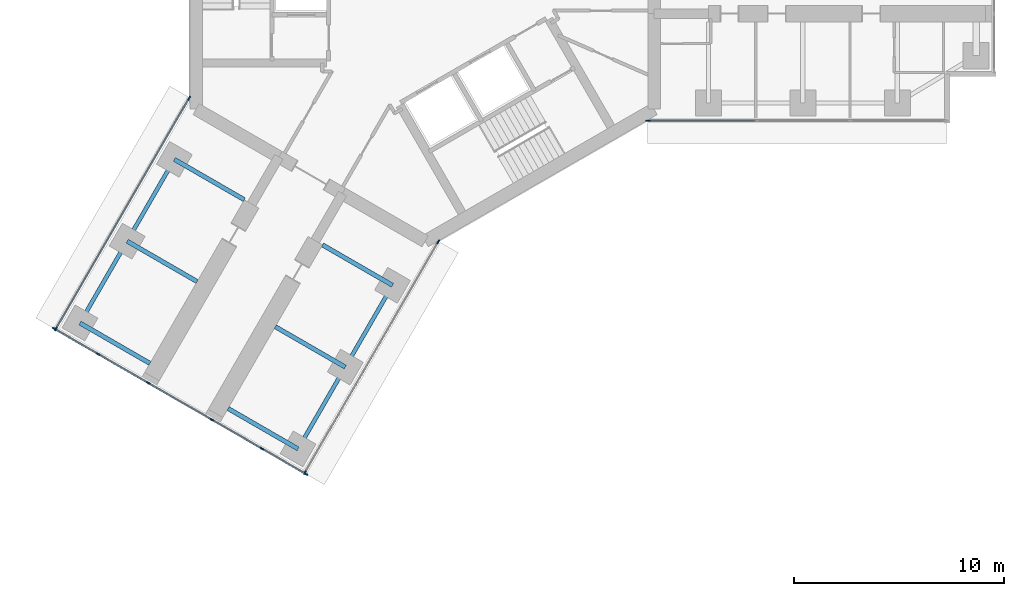
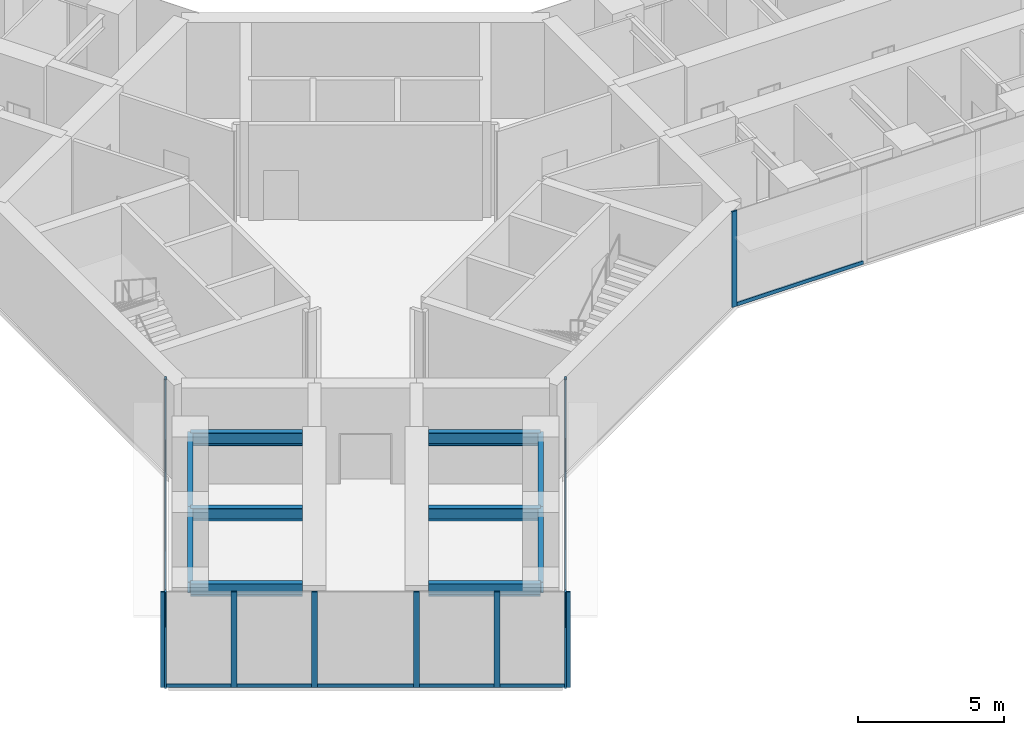
# One storey, part 2 of 23: 19 members, 10 beams, 4 elements without a shape of their own.
"""IFC4 building model written with IfcOpenShell, lengths in metres."""

import ifcopenshell
import ifcopenshell.guid

model = None  # the IFC model being written
_history = None  # IfcOwnerHistory: only IFC2X3 demands one
_inside = {}  # id of a spatial element -> (the spatial element, [elements in it])
_under = {}  # id of a project, library or spatial element -> (it, [spatial elements below it])
_declared = {}  # id of a project -> (the project, [libraries it declares])
_typed = {}  # id of a type object -> (the type object, [elements of that type])
_made_of = {}  # id of a material, layer set ... -> (it, [elements and type objects made of it])


def new_model(schema):
    """Start an empty IFC model of exactly this schema.

    Asked for "IFC4X3", IfcOpenShell would pick the latest addendum, in which some entities
    have other attributes; the version numbers below select the first issue.
    IFC2X3 requires an IfcOwnerHistory on every rooted entity: one is made here for all.
    """
    global model, _history
    if schema == "IFC4X3":
        model = ifcopenshell.file(schema_version=(4, 3, 0, 0))
    else:
        model = ifcopenshell.file(schema=schema)
    _inside.clear()
    _under.clear()
    _declared.clear()
    _typed.clear()
    _made_of.clear()
    _history = None
    if model.schema == "IFC2X3":
        org = make("IfcOrganization", Name="unknown")
        user = make(
            "IfcPersonAndOrganization",
            ThePerson=make("IfcPerson", FamilyName="unknown"),
            TheOrganization=org,
        )
        app = make(
            "IfcApplication",
            ApplicationDeveloper=org,
            Version="unknown",
            ApplicationFullName="unknown",
            ApplicationIdentifier="unknown",
        )
        _history = make(
            "IfcOwnerHistory",
            OwningUser=user,
            OwningApplication=app,
            ChangeAction="ADDED",
            CreationDate=0,
        )
    return model


def make(cls, **values):
    """One entity of the class cls with the attributes given. An attribute that is None is left unset."""
    return model.create_entity(
        cls, **{name: value for name, value in values.items() if value is not None}
    )


def rooted(cls, **values):
    """An entity with a GlobalId (a new one), such as an element, a storey or a relation."""
    return make(cls, GlobalId=ifcopenshell.guid.new(), OwnerHistory=_history, **values)


def si_unit(unit_type, name, prefix=None):
    """IfcSIUnit, for example si_unit("LENGTHUNIT", "METRE", prefix="MILLI")."""
    return make("IfcSIUnit", UnitType=unit_type, Prefix=prefix, Name=name)


def assignment(units):
    """IfcUnitAssignment: the units of a project."""
    return None if units is None else make("IfcUnitAssignment", Units=units)


def point(xyz):
    """IfcCartesianPoint."""
    return None if xyz is None else make("IfcCartesianPoint", Coordinates=xyz)


def direction(xyz):
    """IfcDirection."""
    return None if xyz is None else make("IfcDirection", DirectionRatios=xyz)


def frame(location, z_axis=None, x_axis=None):
    """IfcAxis2Placement3D, a coordinate frame: its origin and axes. An axis left out is left unset."""
    return make(
        "IfcAxis2Placement3D",
        Location=point(location),
        Axis=direction(z_axis),
        RefDirection=direction(x_axis),
    )


def frame_2d(location, x_axis=None):
    """IfcAxis2Placement2D, a coordinate frame in the plane: its origin and x axis."""
    return make(
        "IfcAxis2Placement2D", Location=point(location), RefDirection=direction(x_axis)
    )


def origin():
    """The frame at (0, 0, 0) with its axes left unset."""
    return frame((0.0, 0.0, 0.0))


def origin_2d():
    """The frame at (0, 0) in the plane with its x axis left unset."""
    return frame_2d((0.0, 0.0))


def place(relative_to, where):
    """IfcLocalPlacement: puts the frame where relative to a parent placement (None: the world)."""
    return make(
        "IfcLocalPlacement", PlacementRelTo=relative_to, RelativePlacement=where
    )


def context(
    kind, dimensions, precision=None, world=None, true_north=None, identifier=None
):
    """IfcGeometricRepresentationContext, for example the 3D "Model" context."""
    return make(
        "IfcGeometricRepresentationContext",
        ContextIdentifier=identifier,
        ContextType=kind,
        CoordinateSpaceDimension=dimensions,
        Precision=precision,
        WorldCoordinateSystem=world,
        TrueNorth=true_north,
    )


def subcontext(parent, identifier, kind, view, scale=None):
    """IfcGeometricRepresentationSubContext, for example "Body" below "Model"."""
    return make(
        "IfcGeometricRepresentationSubContext",
        ContextIdentifier=identifier,
        ContextType=kind,
        ParentContext=parent,
        TargetScale=scale,
        TargetView=view,
    )


def project(units=None, contexts=None):
    """IfcProject with its units and contexts."""
    return rooted(
        "IfcProject",
        Name="project",
        RepresentationContexts=contexts,
        UnitsInContext=assignment(units),
    )


def spatial(cls, under=None, at=None, **own):
    """A site, building, storey or space (cls), placed at a placement, below another one or the project."""
    s = rooted(cls, ObjectPlacement=at, **own)
    if under is not None:
        _under.setdefault(under.id(), (under, []))[1].append(s)
    return s


def profile(cls, at=None, kind="AREA", **sizes):
    """A parametric profile (cls). Its sizes go by their IFC names, for example OverallWidth=200.0."""
    return make(cls, ProfileType=kind, Position=at, **sizes)


def rectangle(**sizes):
    """IfcRectangleProfileDef."""
    return profile("IfcRectangleProfileDef", **sizes)


def i_section(**sizes):
    """IfcIShapeProfileDef."""
    return profile("IfcIShapeProfileDef", **sizes)


def extrude(swept, where, along, depth):
    """IfcExtrudedAreaSolid: the profile swept, set in the frame where, extruded along a direction by depth."""
    return make(
        "IfcExtrudedAreaSolid",
        SweptArea=swept,
        Position=where,
        ExtrudedDirection=direction(along),
        Depth=depth,
    )


def shape(context_of_items, identifier, shape_type, items):
    """IfcShapeRepresentation: the items that make up one representation, for example the "Body"."""
    return make(
        "IfcShapeRepresentation",
        ContextOfItems=context_of_items,
        RepresentationIdentifier=identifier,
        RepresentationType=shape_type,
        Items=items,
    )


def material(Name=None, Category=None):
    """IfcMaterial."""
    return make("IfcMaterial", Name=Name, Category=Category)


def material_profile(
    of_material, cross_section, Name=None, Category=None, Priority=None
):
    """IfcMaterialProfile: a cross section and its material."""
    return make(
        "IfcMaterialProfile",
        Name=Name,
        Material=of_material,
        Profile=cross_section,
        Priority=Priority,
        Category=Category,
    )


def profile_set(profiles, Name=None, composite=None):
    """IfcMaterialProfileSet."""
    return make(
        "IfcMaterialProfileSet",
        Name=Name,
        MaterialProfiles=profiles,
        CompositeProfile=composite,
    )


def made_of(thing, what):
    """Note that an element or type object is made of a material, layer set ...; save() writes the relation."""
    if what is not None:
        _made_of.setdefault(what.id(), (what, []))[1].append(thing)
    return thing


def type_object(cls, material=None, **own):
    """A type object (cls), such as IfcWallType, which elements share."""
    return made_of(rooted(cls, **own), material)


def element(
    cls,
    number,
    at=None,
    inside=None,
    cuts=None,
    type_object=None,
    material=None,
    context=None,
    identifier="Body",
    shape_type=None,
    held_by="IfcProductDefinitionShape",
    body=None,
    shapes=None,
    **own,
):
    """One element of the class cls, such as IfcWall. Its Tag is "e" and its number.

    at: its placement. inside: the storey or other place that contains it. cuts: it is an
    opening in that element (IfcRelVoidsElement). A single representation is given by context,
    identifier, shape_type and body (its items); several are given by shapes. held_by: the class
    of the entity that holds the representations. save() writes the other relations.
    """
    e = rooted(cls, Tag="e%d" % number, ObjectPlacement=at, **own)
    if body is not None:
        shapes = [shape(context, identifier, shape_type, body)]
    if shapes is not None:
        e.Representation = make(held_by, Representations=shapes)
    if inside is not None:
        _inside.setdefault(inside.id(), (inside, []))[1].append(e)
    if cuts is not None:
        rooted(
            "IfcRelVoidsElement", RelatingBuildingElement=cuts, RelatedOpeningElement=e
        )
    if type_object is not None:
        _typed.setdefault(type_object.id(), (type_object, []))[1].append(e)
    return made_of(e, material)


def aggregate(whole, parts):
    """IfcRelAggregates: a whole, such as a stair, and the parts it consists of."""
    return rooted("IfcRelAggregates", RelatingObject=whole, RelatedObjects=parts)


def save(model, path):
    """Write the relations noted so far, then the file.

    IfcRelAggregates (storeys below a building ...), IfcRelContainedInSpatialStructure (elements
    in a storey), IfcRelDefinesByType, IfcRelAssociatesMaterial and IfcRelDeclares: one each for
    every whole, place, type object, material and project.
    """
    for whole, parts in _under.values():
        aggregate(whole, parts)
    for where, things in _inside.values():
        rooted(
            "IfcRelContainedInSpatialStructure",
            RelatedElements=things,
            RelatingStructure=where,
        )
    for kind, things in _typed.values():
        rooted("IfcRelDefinesByType", RelatedObjects=things, RelatingType=kind)
    for what, things in _made_of.values():
        rooted("IfcRelAssociatesMaterial", RelatedObjects=things, RelatingMaterial=what)
    for by, libraries in _declared.values():
        rooted("IfcRelDeclares", RelatingContext=by, RelatedDefinitions=libraries)
    model.write(path)


model = new_model("IFC4")

# Units and contexts
model_context = context("Model", 3, precision=1e-05, world=origin(), true_north=direction((0.0, 1.0)))
body_context = subcontext(model_context, "Body", "Model", "MODEL_VIEW")
ifc_project = project(units=[si_unit("LENGTHUNIT", "METRE"), si_unit("AREAUNIT", "SQUARE_METRE"), si_unit("VOLUMEUNIT", "CUBIC_METRE"), si_unit("PLANEANGLEUNIT", "RADIAN"), si_unit("MASSUNIT", "GRAM", prefix="KILO")], contexts=[model_context])

# Site, building, storey
site_placement = place(None, origin())
site = spatial("IfcSite", under=ifc_project, at=site_placement, CompositionType="ELEMENT")
building_placement = place(site_placement, origin())
building = spatial("IfcBuilding", under=site, at=building_placement, Name="Upepo Twin Towers", CompositionType="ELEMENT")
storey_placement = place(building_placement, frame((0.0, 0.0, 153.5)))
storey = spatial("IfcBuildingStorey", under=building, at=storey_placement, Name="L37", CompositionType="ELEMENT", Elevation=153.5)

# Beams
ifc_material_1 = material(Name="Steel S355", Category="steel")
ifc_material_profile_1 = material_profile(ifc_material_1, i_section(OverallWidth=0.1904296875, OverallDepth=0.45703125, WebThickness=0.009033203125, FlangeThickness=0.014404296875, FilletRadius=0.01025390625, at=origin_2d()), Name="UB 457x191x74")
ifc_profile_set_1 = profile_set([ifc_material_profile_1], Name="Steel S355")
beam_type_1 = type_object("IfcBeamType", Name="Beam UB 457x191x74", PredefinedType="BEAM", material=ifc_profile_set_1)
beam_1_placement = place(storey_placement, frame((-1.553955078125, -14.69140625, 3.571533203125), z_axis=(-0.500013631625, -0.866017533419, 0.0), x_axis=(0.866017533419, -0.500013631625, 0.0)))
element("IfcBeam", 1, at=beam_1_placement, inside=storey, type_object=beam_type_1, Name="T1 edge beam CL 13.5-18.0", PredefinedType="BEAM", context=body_context, shape_type="SweptSolid", body=[
    extrude(i_section(OverallWidth=0.1904296875, OverallDepth=0.45703125, WebThickness=0.009033203125, FlangeThickness=0.014404296875, FilletRadius=0.01025390625, at=origin_2d()), origin(), (0.0, 0.0, 1.0), 4.499755859375),
])
beam_2_placement = place(storey_placement, frame((-3.803955078125, -18.58837890625, 3.571533203125), z_axis=(-0.499990139034, -0.866031096941, 0.0), x_axis=(0.866031096941, -0.499990139034, 0.0)))
element("IfcBeam", 2, at=beam_2_placement, inside=storey, type_object=beam_type_1, Name="T1 edge beam CL 18.0-22.5", PredefinedType="BEAM", context=body_context, shape_type="SweptSolid", body=[
    extrude(i_section(OverallWidth=0.1904296875, OverallDepth=0.45703125, WebThickness=0.009033203125, FlangeThickness=0.014404296875, FilletRadius=0.01025390625, at=origin_2d()), origin(), (0.0, 0.0, 1.0), 4.5),
])
beam_3_placement = place(storey_placement, frame((-11.946044921875, -8.69140625, 3.571533203125), z_axis=(-0.500013631625, -0.866017533419, 0.0), x_axis=(0.866017533419, -0.500013631625, 0.0)))
element("IfcBeam", 3, at=beam_3_placement, inside=storey, type_object=beam_type_1, Name="T1 edge beam CR 13.5-18.0", PredefinedType="BEAM", context=body_context, shape_type="SweptSolid", body=[
    extrude(i_section(OverallWidth=0.1904296875, OverallDepth=0.45703125, WebThickness=0.009033203125, FlangeThickness=0.014404296875, FilletRadius=0.01025390625, at=origin_2d()), origin(), (0.0, 0.0, 1.0), 4.499755859375),
])
beam_4_placement = place(storey_placement, frame((-14.196044921875, -12.58837890625, 3.571533203125), z_axis=(-0.499990139034, -0.866031096941, 0.0), x_axis=(0.866031096941, -0.499990139034, 0.0)))
element("IfcBeam", 4, at=beam_4_placement, inside=storey, type_object=beam_type_1, Name="T1 edge beam CR 18.0-22.5", PredefinedType="BEAM", context=body_context, shape_type="SweptSolid", body=[
    extrude(i_section(OverallWidth=0.1904296875, OverallDepth=0.45703125, WebThickness=0.009033203125, FlangeThickness=0.014404296875, FilletRadius=0.01025390625, at=origin_2d()), origin(), (0.0, 0.0, 1.0), 4.5),
])
ifc_material_2 = material(Name="Steel S355", Category="steel")
ifc_material_profile_2 = material_profile(ifc_material_2, i_section(OverallWidth=0.209228515625, OverallDepth=0.533203125, WebThickness=0.010009765625, FlangeThickness=0.015625, FilletRadius=0.0126953125, at=origin_2d()), Name="UB 533x210x92")
ifc_profile_set_2 = profile_set([ifc_material_profile_2], Name="Steel S355")
beam_type_2 = type_object("IfcBeamType", Name="Beam UB 533x210x92", PredefinedType="BEAM", material=ifc_profile_set_2)
beam_5_placement = place(storey_placement, frame((-1.553955078125, -14.69140625, 3.533447265625), z_axis=(-0.866006051527, 0.500033517596, 0.0), x_axis=(-0.500033517596, -0.866006051527, 0.0)))
element("IfcBeam", 5, at=beam_5_placement, inside=storey, type_object=beam_type_2, Name="T1 girder CL at 13.5", PredefinedType="BEAM", context=body_context, shape_type="SweptSolid", body=[
    extrude(i_section(OverallWidth=0.209228515625, OverallDepth=0.533203125, WebThickness=0.010009765625, FlangeThickness=0.015625, FilletRadius=0.0126953125, at=origin_2d()), origin(), (0.0, 0.0, 1.0), 3.849853515625),
])
beam_6_placement = place(storey_placement, frame((-3.803955078125, -18.58837890625, 3.533447265625), z_axis=(-0.866033512162, 0.499985955615, 0.0), x_axis=(-0.499985955615, -0.866033512162, 0.0)))
element("IfcBeam", 6, at=beam_6_placement, inside=storey, type_object=beam_type_2, Name="T1 girder CL at 18.0", PredefinedType="BEAM", context=body_context, shape_type="SweptSolid", body=[
    extrude(i_section(OverallWidth=0.209228515625, OverallDepth=0.533203125, WebThickness=0.010009765625, FlangeThickness=0.015625, FilletRadius=0.0126953125, at=origin_2d()), origin(), (0.0, 0.0, 1.0), 3.849609375),
])
for number, where, z_axis, x_axis, name in (
    (7, (-6.053955078125, -22.485595703125, 3.533447265625), (-0.866006051527, 0.500033517596, 0.0), (-0.500033517596, -0.866006051527, 0.0), "T1 girder CL at 22.5"),
    (8, (-11.946044921875, -8.69140625, 3.533447265625), (0.866006051527, -0.500033517596, 0.0), (0.500033517596, 0.866006051527, 0.0), "T1 girder CR at 13.5"),
    (9, (-14.196044921875, -12.58837890625, 3.533447265625), (0.866006051527, -0.500033517596, 0.0), (0.500033517596, 0.866006051527, 0.0), "T1 girder CR at 18.0"),
    (10, (-16.446044921875, -16.485595703125, 3.533447265625), (0.866006051527, -0.500033517596, 0.0), (0.500033517596, 0.866006051527, 0.0), "T1 girder CR at 22.5"),
):
    element("IfcBeam", number, at=place(storey_placement, frame(where, z_axis=z_axis, x_axis=x_axis)), inside=storey, type_object=beam_type_2, Name=name, PredefinedType="BEAM", context=body_context, shape_type="SweptSolid", body=[
        extrude(i_section(OverallWidth=0.209228515625, OverallDepth=0.533203125, WebThickness=0.010009765625, FlangeThickness=0.015625, FilletRadius=0.0126953125, at=origin_2d()), origin(), (0.0, 0.0, 1.0), 3.849853515625),
    ])

# Curtain wall, member
ifc_material_3 = material(Name="Aluminium and fritted glass", Category="aluminium")
curtain_wall_type = type_object("IfcCurtainWallType", Name="Tower curtain wall TW2, fritted glass", PredefinedType="NOTDEFINED", material=ifc_material_3)
curtain_wall_1_placement = place(storey_placement, origin())
curtain_wall_1 = element("IfcCurtainWall", 11, at=curtain_wall_1_placement, inside=storey, type_object=curtain_wall_type, Name="T1 L37 wing A flank R curtain wall", PredefinedType="NOTDEFINED")
ifc_material_4 = material(Name="Aluminium mullion", Category="aluminium")
ifc_material_profile_3 = material_profile(ifc_material_4, rectangle(XDim=0.06494140625, YDim=0.199951171875, at=origin_2d()), Name="MULLION 65x200")
ifc_profile_set_3 = profile_set([ifc_material_profile_3], Name="Aluminium mullion")
member_type_1 = type_object("IfcMemberType", Name="Mullion 65x200 TW2", PredefinedType="MULLION", material=ifc_profile_set_3)
member_1_placement = place(storey_placement, frame((10.61962890625, -6.85009765625, 0.0), z_axis=(0.0, 0.0, 1.0), x_axis=(0.0, -1.0, 0.0)))
member_1 = element("IfcMember", 12, at=member_1_placement, type_object=member_type_1, Name="T1 L37 wing A flank R curtain wall mullion 4", PredefinedType="MULLION", context=body_context, shape_type="SweptSolid", body=[
    extrude(rectangle(XDim=0.06494140625, YDim=0.199951171875, at=origin_2d()), origin(), (0.0, 0.0, 1.0), 4.0),
])

# Curtain wall, members
curtain_wall_2_placement = place(storey_placement, origin())
curtain_wall_2 = element("IfcCurtainWall", 13, at=curtain_wall_2_placement, inside=storey, type_object=curtain_wall_type, Name="T1 L37 wing C flank L curtain wall", PredefinedType="NOTDEFINED")
member_2_placement = place(storey_placement, frame((0.62255859375, -12.621826171875, 0.0), z_axis=(0.0, 0.0, 1.0), x_axis=(0.866025399212, -0.50000000792, 0.0)))
member_2 = element("IfcMember", 14, at=member_2_placement, type_object=member_type_1, Name="T1 L37 wing C flank L curtain wall mullion 1", PredefinedType="MULLION", context=body_context, shape_type="SweptSolid", body=[
    extrude(rectangle(XDim=0.06494140625, YDim=0.199951171875, at=origin_2d()), origin(), (0.0, 0.0, 1.0), 4.0),
])
member_3_placement = place(storey_placement, frame((-5.7265625, -23.61865234375, 0.0), z_axis=(0.0, 0.0, 1.0), x_axis=(0.866025399212, -0.50000000792, 0.0)))
member_3 = element("IfcMember", 15, at=member_3_placement, type_object=member_type_1, Name="T1 L37 wing C flank L curtain wall mullion 2", PredefinedType="MULLION", context=body_context, shape_type="SweptSolid", body=[
    extrude(rectangle(XDim=0.06494140625, YDim=0.199951171875, at=origin_2d()), origin(), (0.0, 0.0, 1.0), 4.0),
])

curtain_wall_3_placement = place(storey_placement, origin())
curtain_wall_3 = element("IfcCurtainWall", 16, at=curtain_wall_3_placement, inside=storey, type_object=curtain_wall_type, Name="T1 L37 wing C flank R curtain wall", PredefinedType="NOTDEFINED")
member_4_placement = place(storey_placement, frame((-17.591064453125, -16.7685546875, 0.0), z_axis=(0.0, 0.0, 1.0), x_axis=(-0.866025399212, 0.50000000792, 0.0)))
member_4 = element("IfcMember", 17, at=member_4_placement, type_object=member_type_1, Name="T1 L37 wing C flank R curtain wall mullion 1", PredefinedType="MULLION", context=body_context, shape_type="SweptSolid", body=[
    extrude(rectangle(XDim=0.06494140625, YDim=0.199951171875, at=origin_2d()), origin(), (0.0, 0.0, 1.0), 4.0),
])
member_5_placement = place(storey_placement, frame((-11.2421875, -5.77197265625, 0.0), z_axis=(0.0, 0.0, 1.0), x_axis=(-0.866025399212, 0.50000000792, 0.0)))
member_5 = element("IfcMember", 18, at=member_5_placement, type_object=member_type_1, Name="T1 L37 wing C flank R curtain wall mullion 2", PredefinedType="MULLION", context=body_context, shape_type="SweptSolid", body=[
    extrude(rectangle(XDim=0.06494140625, YDim=0.199951171875, at=origin_2d()), origin(), (0.0, 0.0, 1.0), 4.0),
])

curtain_wall_4_placement = place(storey_placement, origin())
curtain_wall_4 = element("IfcCurtainWall", 19, at=curtain_wall_4_placement, inside=storey, type_object=curtain_wall_type, Name="T1 L37 wing C nose curtain wall", PredefinedType="NOTDEFINED")
member_6_placement = place(storey_placement, frame((-17.665771484375, -16.762939453125, 0.0), z_axis=(0.0, 0.0, 1.0), x_axis=(0.499999972355, 0.866025419745, 0.0)))
member_6 = element("IfcMember", 20, at=member_6_placement, type_object=member_type_1, Name="T1 L37 wing C nose curtain wall mullion 1", PredefinedType="MULLION", context=body_context, shape_type="SweptSolid", body=[
    extrude(rectangle(XDim=0.06494140625, YDim=0.199951171875, at=origin_2d()), origin(), (0.0, 0.0, 1.0), 4.0),
])
member_7_placement = place(storey_placement, frame((-15.572021484375, -17.9716796875, 0.0), z_axis=(0.0, 0.0, 1.0), x_axis=(0.499999972355, 0.866025419745, 0.0)))
member_7 = element("IfcMember", 21, at=member_7_placement, type_object=member_type_1, Name="T1 L37 wing C nose curtain wall mullion 2", PredefinedType="MULLION", context=body_context, shape_type="SweptSolid", body=[
    extrude(rectangle(XDim=0.06494140625, YDim=0.199951171875, at=origin_2d()), origin(), (0.0, 0.0, 1.0), 4.0),
])
member_8_placement = place(storey_placement, frame((-13.1904296875, -19.3466796875, 0.0), z_axis=(0.0, 0.0, 1.0), x_axis=(0.499999972355, 0.866025419745, 0.0)))
member_8 = element("IfcMember", 22, at=member_8_placement, type_object=member_type_1, Name="T1 L37 wing C nose curtain wall mullion 3", PredefinedType="MULLION", context=body_context, shape_type="SweptSolid", body=[
    extrude(rectangle(XDim=0.06494140625, YDim=0.199951171875, at=origin_2d()), origin(), (0.0, 0.0, 1.0), 4.0),
])
member_9_placement = place(storey_placement, frame((-10.159423828125, -21.0966796875, 0.0), z_axis=(0.0, 0.0, 1.0), x_axis=(0.499999972355, 0.866025419745, 0.0)))
member_9 = element("IfcMember", 23, at=member_9_placement, type_object=member_type_1, Name="T1 L37 wing C nose curtain wall mullion 4", PredefinedType="MULLION", context=body_context, shape_type="SweptSolid", body=[
    extrude(rectangle(XDim=0.06494140625, YDim=0.199951171875, at=origin_2d()), origin(), (0.0, 0.0, 1.0), 4.0),
])
member_10_placement = place(storey_placement, frame((-7.77783203125, -22.4716796875, 0.0), z_axis=(0.0, 0.0, 1.0), x_axis=(0.499999972355, 0.866025419745, 0.0)))
member_10 = element("IfcMember", 24, at=member_10_placement, type_object=member_type_1, Name="T1 L37 wing C nose curtain wall mullion 5", PredefinedType="MULLION", context=body_context, shape_type="SweptSolid", body=[
    extrude(rectangle(XDim=0.06494140625, YDim=0.199951171875, at=origin_2d()), origin(), (0.0, 0.0, 1.0), 4.0),
])
member_11_placement = place(storey_placement, frame((-5.684326171875, -23.680419921875, 0.0), z_axis=(0.0, 0.0, 1.0), x_axis=(0.499999972355, 0.866025419745, 0.0)))
member_11 = element("IfcMember", 25, at=member_11_placement, type_object=member_type_1, Name="T1 L37 wing C nose curtain wall mullion 6", PredefinedType="MULLION", context=body_context, shape_type="SweptSolid", body=[
    extrude(rectangle(XDim=0.06494140625, YDim=0.199951171875, at=origin_2d()), origin(), (0.0, 0.0, 1.0), 4.0),
])

# Member
ifc_material_5 = material(Name="Aluminium transom", Category="aluminium")
ifc_material_profile_4 = material_profile(ifc_material_5, rectangle(XDim=0.06494140625, YDim=0.14990234375, at=origin_2d()), Name="TRANSOM 65x150")
ifc_profile_set_4 = profile_set([ifc_material_profile_4], Name="Aluminium transom")
member_type_2 = type_object("IfcMemberType", Name="Transom 65x150 TW2", PredefinedType="USERDEFINED", material=ifc_profile_set_4)
member_12_placement = place(storey_placement, frame((15.717529296875, -6.85009765625, 0.074951171875), z_axis=(-1.0, 0.0, 0.0), x_axis=(0.0, -1.0, 0.0)))
member_12 = element("IfcMember", 26, at=member_12_placement, type_object=member_type_2, Name="T1 L37 wing A flank R curtain wall transom 3", ObjectType="TRANSOM", PredefinedType="USERDEFINED", context=body_context, shape_type="SweptSolid", body=[
    extrude(rectangle(XDim=0.06494140625, YDim=0.14990234375, at=origin_2d()), origin(), (0.0, 0.0, 1.0), 5.0654296875),
])

aggregate(curtain_wall_1, [member_1, member_12])

member_13_placement = place(storey_placement, frame((0.606201171875, -12.64990234375, 0.074951171875), z_axis=(-0.499996807431, -0.866027247007, 0.0), x_axis=(0.866027247007, -0.499996807431, 0.0)))
member_13 = element("IfcMember", 27, at=member_13_placement, type_object=member_type_2, Name="T1 L37 wing C flank L curtain wall transom 1", ObjectType="TRANSOM", PredefinedType="USERDEFINED", context=body_context, shape_type="SweptSolid", body=[
    extrude(rectangle(XDim=0.06494140625, YDim=0.14990234375, at=origin_2d()), origin(), (0.0, 0.0, 1.0), 12.6328125),
])

aggregate(curtain_wall_2, [member_2, member_3, member_13])

member_14_placement = place(storey_placement, frame((-17.57470703125, -16.740478515625, 0.074951171875), z_axis=(0.499996807431, 0.866027247007, 0.0), x_axis=(-0.866027247007, 0.499996807431, 0.0)))
member_14 = element("IfcMember", 28, at=member_14_placement, type_object=member_type_2, Name="T1 L37 wing C flank R curtain wall transom 1", ObjectType="TRANSOM", PredefinedType="USERDEFINED", context=body_context, shape_type="SweptSolid", body=[
    extrude(rectangle(XDim=0.06494140625, YDim=0.14990234375, at=origin_2d()), origin(), (0.0, 0.0, 1.0), 12.6328125),
])

aggregate(curtain_wall_3, [member_4, member_5, member_14])

member_15_placement = place(storey_placement, frame((-17.6376953125, -16.779296875, 0.074951171875), z_axis=(0.866069800327, -0.499923095048, 0.0), x_axis=(0.499923095048, 0.866069800327, 0.0)))
member_15 = element("IfcMember", 29, at=member_15_placement, type_object=member_type_2, Name="T1 L37 wing C nose curtain wall transom 1", ObjectType="TRANSOM", PredefinedType="USERDEFINED", context=body_context, shape_type="SweptSolid", body=[
    extrude(rectangle(XDim=0.06494140625, YDim=0.14990234375, at=origin_2d()), origin(), (0.0, 0.0, 1.0), 2.352294921875),
])

member_16_placement = place(storey_placement, frame((-15.5439453125, -17.988037109375, 0.074951171875), z_axis=(0.8660523339, -0.49995335277, 0.0), x_axis=(0.49995335277, 0.8660523339, 0.0)))
member_16 = element("IfcMember", 30, at=member_16_placement, type_object=member_type_2, Name="T1 L37 wing C nose curtain wall transom 2", ObjectType="TRANSOM", PredefinedType="USERDEFINED", context=body_context, shape_type="SweptSolid", body=[
    extrude(rectangle(XDim=0.06494140625, YDim=0.14990234375, at=origin_2d()), origin(), (0.0, 0.0, 1.0), 2.684814453125),
])

member_17_placement = place(storey_placement, frame((-13.162353515625, -19.363037109375, 0.074951171875), z_axis=(0.866056579774, -0.499945997713, 0.0), x_axis=(0.499945997713, 0.866056579774, 0.0)))
member_17 = element("IfcMember", 31, at=member_17_placement, type_object=member_type_2, Name="T1 L37 wing C nose curtain wall transom 3", ObjectType="TRANSOM", PredefinedType="USERDEFINED", context=body_context, shape_type="SweptSolid", body=[
    extrude(rectangle(XDim=0.06494140625, YDim=0.14990234375, at=origin_2d()), origin(), (0.0, 0.0, 1.0), 3.43505859375),
])

member_18_placement = place(storey_placement, frame((-10.13134765625, -21.113037109375, 0.074951171875), z_axis=(0.8660523339, -0.49995335277, 0.0), x_axis=(0.49995335277, 0.8660523339, 0.0)))
member_18 = element("IfcMember", 32, at=member_18_placement, type_object=member_type_2, Name="T1 L37 wing C nose curtain wall transom 4", ObjectType="TRANSOM", PredefinedType="USERDEFINED", context=body_context, shape_type="SweptSolid", body=[
    extrude(rectangle(XDim=0.06494140625, YDim=0.14990234375, at=origin_2d()), origin(), (0.0, 0.0, 1.0), 2.684814453125),
])

member_19_placement = place(storey_placement, frame((-7.749755859375, -22.488037109375, 0.074951171875), z_axis=(0.866024864377, -0.50000093428, 0.0), x_axis=(0.50000093428, 0.866024864377, 0.0)))
member_19 = element("IfcMember", 33, at=member_19_placement, type_object=member_type_2, Name="T1 L37 wing C nose curtain wall transom 5", ObjectType="TRANSOM", PredefinedType="USERDEFINED", context=body_context, shape_type="SweptSolid", body=[
    extrude(rectangle(XDim=0.06494140625, YDim=0.14990234375, at=origin_2d()), origin(), (0.0, 0.0, 1.0), 2.3525390625),
])

aggregate(curtain_wall_4, [member_6, member_7, member_8, member_9, member_10, member_11, member_15, member_16, member_17, member_18, member_19])

save(model, "model.ifc")
